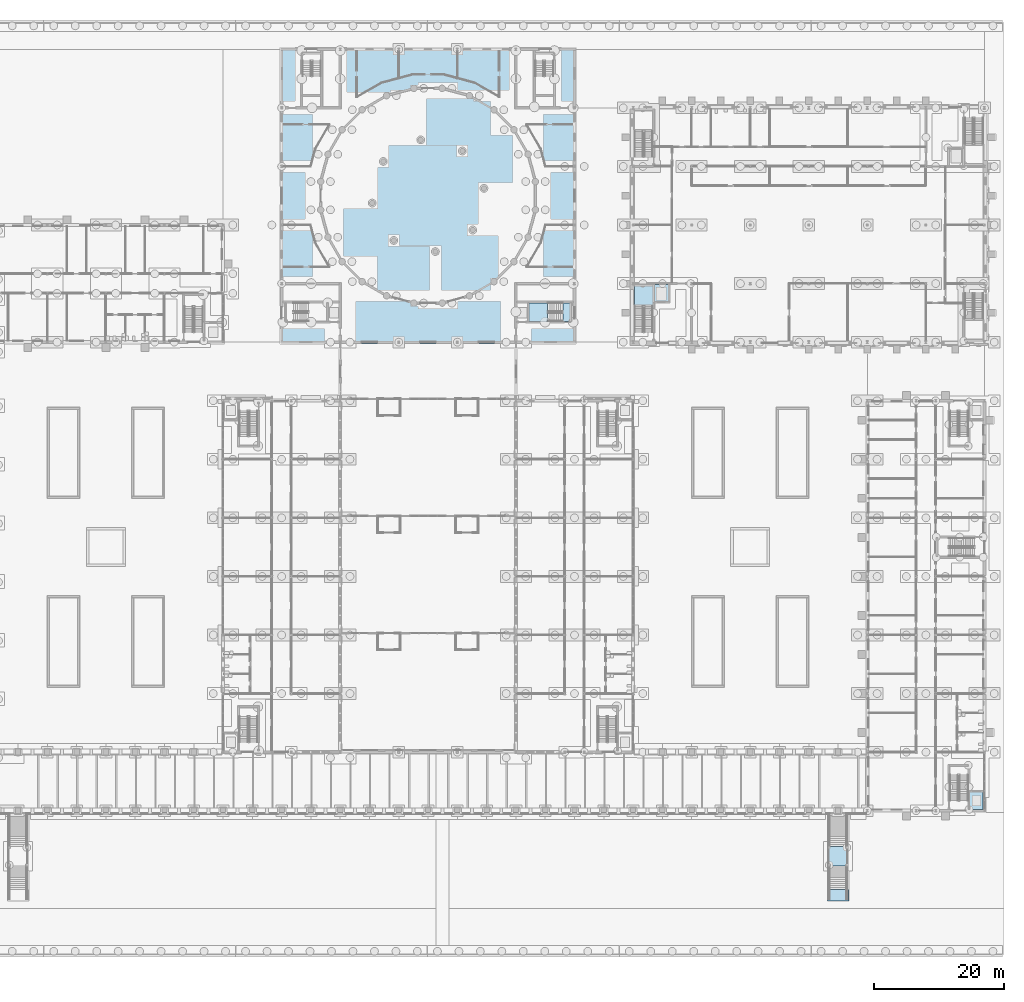
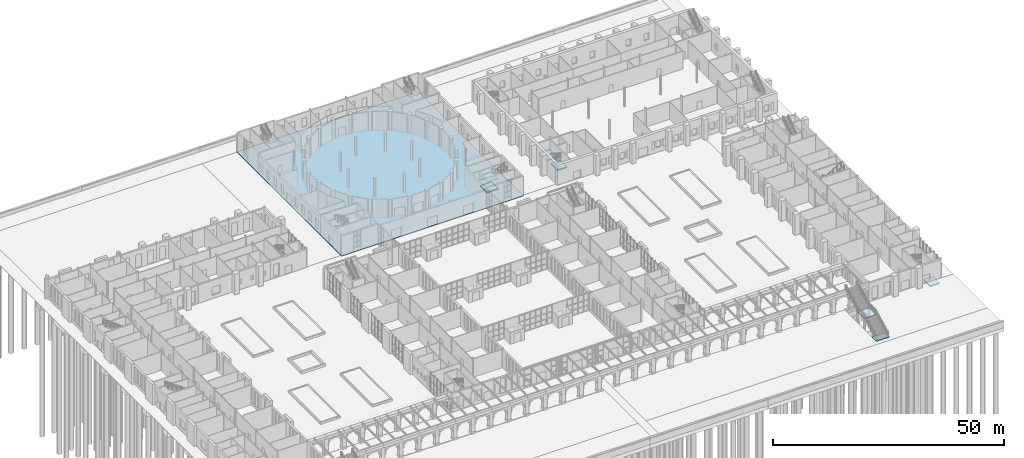
# One storey, part 80 of 168: 9 slabs, 3 elements without a shape of their own.
"""IFC4 building model written with IfcOpenShell, lengths in metres."""

from ifc_helpers import new_model, si_unit, direction, frame, origin, place, context, subcontext, project, spatial, polyline, outline, extrude, material, layer, layer_set, type_object, element, aggregate, save


model = new_model("IFC4")

# Units and contexts
model_context = context("Model", 3, precision=1e-05, world=origin(), true_north=direction((0.0, 1.0)))
body_context = subcontext(model_context, "Body", "Model", "MODEL_VIEW")
ifc_project = project(units=[si_unit("LENGTHUNIT", "METRE"), si_unit("AREAUNIT", "SQUARE_METRE"), si_unit("VOLUMEUNIT", "CUBIC_METRE"), si_unit("PLANEANGLEUNIT", "RADIAN"), si_unit("MASSUNIT", "GRAM", prefix="KILO")], contexts=[model_context])

# Site, building, storey
site_placement = place(None, origin())
site = spatial("IfcSite", under=ifc_project, at=site_placement, CompositionType="ELEMENT")
building_placement = place(site_placement, origin())
building = spatial("IfcBuilding", under=site, at=building_placement, Name="Golden Quay Civic Hall", CompositionType="ELEMENT")
storey_placement = place(building_placement, origin())
storey = spatial("IfcBuildingStorey", under=building, at=storey_placement, Name="L00", CompositionType="ELEMENT", Elevation=0.0)

# Stair, slab
ifc_material_1 = material(Name="Concrete C40/50", Category="concrete")
stair_type_1 = type_object("IfcStairType", Name="Concrete half-turn stair 30 risers", PredefinedType="HALF_TURN_STAIR", material=ifc_material_1)
stair_1_placement = place(storey_placement, origin())
stair_1 = element("IfcStair", 1, at=stair_1_placement, inside=storey, type_object=stair_type_1, Name="L00 Protected Exit Stair LB-W", PredefinedType="HALF_TURN_STAIR")
ifc_material_2 = material(Name="Concrete C35/45", Category="concrete")
ifc_layer_1 = layer(ifc_material_2, 0.199951171875)
ifc_layer_set_1 = layer_set([ifc_layer_1], Name="Concrete stair landing 200, Concrete C35/45")
slab_type_1 = type_object("IfcSlabType", Name="Concrete stair landing 200", PredefinedType="LANDING", material=ifc_layer_set_1)
slab_1_placement = place(storey_placement, frame((0.0, 0.0, 2.5)))
slab_1 = element("IfcSlab", 2, at=slab_1_placement, type_object=slab_type_1, Name="LB-STW landing 1", PredefinedType="LANDING", context=body_context, shape_type="SweptSolid", body=[
    extrude(outline(polyline([(120.050048828125, 68.469970703125), (120.050048828125, 71.875), (117.199951171875, 71.875), (117.199951171875, 68.469970703125), (120.050048828125, 68.469970703125)])), origin(), (0.0, 0.0, 1.0), 0.199951171875),
])
aggregate(stair_1, [slab_1])

# Slabs
ifc_material_3 = material(Name="Concrete C35/45", Category="concrete")
ifc_layer_2 = layer(ifc_material_3, 0.199951171875)
ifc_layer_set_2 = layer_set([ifc_layer_2], Name="Ground slab 200")
slab_type_2 = type_object("IfcSlabType", Name="Ground slab 200", PredefinedType="BASESLAB", material=ifc_layer_set_2)
slab_2_placement = place(storey_placement, frame((0.0, 0.0, -0.199951171875)))
element("IfcSlab", 3, at=slab_2_placement, inside=storey, type_object=slab_type_2, Name="Ground slab", PredefinedType="BASESLAB", context=body_context, shape_type="SweptSolid", body=[
    extrude(outline(polyline([(108.199951171875, 62.800048828125), (108.199951171875, 108.199951171875), (62.800048828125, 108.199951171875), (62.800048828125, 62.800048828125), (108.199951171875, 62.800048828125)])), origin(), (0.0, 0.0, 1.0), 0.199951171875),
])
ifc_material_4 = material(Name="Concrete C35/45", Category="concrete")
ifc_layer_3 = layer(ifc_material_4, 0.300048828125)
ifc_layer_set_3 = layer_set([ifc_layer_3], Name="Ground slab 300")
slab_type_3 = type_object("IfcSlabType", Name="Ground slab 300", PredefinedType="BASESLAB", material=ifc_layer_set_3)
slab_3_placement = place(storey_placement, frame((0.0, 0.0, -1.5)))
element("IfcSlab", 4, at=slab_3_placement, inside=storey, type_object=slab_type_3, Name="L00 lift pit slab W", PredefinedType="BASESLAB", context=body_context, shape_type="SweptSolid", body=[
    extrude(outline(polyline([(120.300048828125, 69.02490234375), (122.64990234375, 69.02490234375), (122.64990234375, 71.875), (120.300048828125, 71.875), (120.300048828125, 69.02490234375)])), origin(), (0.0, 0.0, 1.0), 0.300048828125),
])
ifc_material_5 = material(Name="Concrete C40/50", Category="concrete")
ifc_layer_4 = layer(ifc_material_5, 0.300048828125)
ifc_layer_set_4 = layer_set([ifc_layer_4], Name="Lift pit slab 300")
slab_type_4 = type_object("IfcSlabType", Name="Lift pit slab 300", PredefinedType="BASESLAB", material=ifc_layer_set_4)
slab_4_placement = place(storey_placement, frame((0.0, 0.0, -1.800048828125)))
element("IfcSlab", 5, at=slab_4_placement, inside=storey, type_object=slab_type_4, Name="Lift pit slab EO-S", PredefinedType="BASESLAB", context=body_context, shape_type="SweptSolid", body=[
    extrude(outline(polyline([(170.800048828125, -8.800048828125), (168.75, -8.800048828125), (168.5, -8.800048828125), (168.5, -5.949951171875), (168.75, -5.949951171875), (170.800048828125, -5.949951171875), (170.800048828125, -6.199951171875), (170.800048828125, -8.800048828125)])), origin(), (0.0, 0.0, 1.0), 0.300048828125),
])
ifc_material_6 = material(Name="Concrete C30/37", Category="concrete")
ifc_layer_5 = layer(ifc_material_6, 0.25)
ifc_layer_set_5 = layer_set([ifc_layer_5], Name="Public stair foot slab 250")
slab_type_5 = type_object("IfcSlabType", Name="Public stair foot slab 250", PredefinedType="BASESLAB", material=ifc_layer_set_5)
slab_5_placement = place(storey_placement, frame((0.0, 0.0, -0.25)))
element("IfcSlab", 6, at=slab_5_placement, inside=storey, type_object=slab_type_5, Name="Public stair foot slab east", PredefinedType="BASESLAB", context=body_context, shape_type="SweptSolid", body=[
    extrude(outline(polyline([(146.85009765625, -22.89990234375), (150.14990234375, -22.89990234375), (150.14990234375, -21.10009765625), (146.85009765625, -21.10009765625), (146.85009765625, -22.89990234375)])), origin(), (0.0, 0.0, 1.0), 0.25),
])

# Stair, slab
ifc_material_7 = material(Name="Concrete C30/37", Category="concrete")
stair_type_2 = type_object("IfcStairType", Name="Public stair concrete 3000", PredefinedType="TWO_STRAIGHT_RUN_STAIR", material=ifc_material_7)
stair_2_placement = place(storey_placement, origin())
stair_2 = element("IfcStair", 7, at=stair_2_placement, inside=storey, type_object=stair_type_2, Name="Public stair east", PredefinedType="TWO_STRAIGHT_RUN_STAIR")
ifc_material_8 = material(Name="Concrete C30/37", Category="concrete")
ifc_layer_6 = layer(ifc_material_8, 0.199951171875)
ifc_layer_set_6 = layer_set([ifc_layer_6], Name="Public stair landing 200")
slab_type_6 = type_object("IfcSlabType", Name="Public stair landing 200", PredefinedType="LANDING", material=ifc_layer_set_6)
slab_6_placement = place(storey_placement, frame((0.0, 0.0, 2.5)))
slab_6 = element("IfcSlab", 8, at=slab_6_placement, type_object=slab_type_6, Name="ST1 landing 1", PredefinedType="LANDING", context=body_context, shape_type="SweptSolid", body=[
    extrude(outline(polyline([(147.0, -17.5), (150.0, -17.5), (150.0, -14.5), (147.0, -14.5), (147.0, -17.5)])), origin(), (0.0, 0.0, 1.0), 0.199951171875),
])
aggregate(stair_2, [slab_6])

# Stair, slabs
ifc_material_9 = material(Name="Concrete C35/45", Category="concrete")
stair_type_3 = type_object("IfcStairType", Name="Reinforced concrete stair 1350", PredefinedType="HALF_TURN_STAIR", material=ifc_material_9)
stair_3_placement = place(storey_placement, origin())
stair_3 = element("IfcStair", 9, at=stair_3_placement, inside=storey, type_object=stair_type_3, Name="L00 Core stair SE", PredefinedType="HALF_TURN_STAIR")
ifc_material_10 = material(Name="Concrete C35/45", Category="concrete")
ifc_layer_7 = layer(ifc_material_10, 0.199951171875)
ifc_layer_set_7 = layer_set([ifc_layer_7], Name="Reinforced concrete stair landing 200, Concrete C35/45")
slab_type_7 = type_object("IfcSlabType", Name="Reinforced concrete stair landing 200", PredefinedType="LANDING", material=ifc_layer_set_7)
slab_7_placement = place(storey_placement, frame((0.0, 0.0, 1.14990234375)))
slab_7 = element("IfcSlab", 10, at=slab_7_placement, type_object=slab_type_7, Name="CB-SE landing 1", PredefinedType="LANDING", context=body_context, shape_type="SweptSolid", body=[
    extrude(outline(polyline([(103.889892578125, 69.050048828125), (101.050048828125, 69.050048828125), (101.050048828125, 66.199951171875), (103.889892578125, 66.199951171875), (103.889892578125, 69.050048828125)])), origin(), (0.0, 0.0, 1.0), 0.2001953125),
])
slab_8_placement = place(storey_placement, frame((0.0, 0.0, 2.5)))
slab_8 = element("IfcSlab", 11, at=slab_8_placement, type_object=slab_type_7, Name="CB-SE landing 2", PredefinedType="LANDING", context=body_context, shape_type="SweptSolid", body=[
    extrude(outline(polyline([(107.550048828125, 69.050048828125), (106.199951171875, 69.050048828125), (106.199951171875, 66.199951171875), (107.550048828125, 66.199951171875), (107.550048828125, 69.050048828125)])), origin(), (0.0, 0.0, 1.0), 0.199951171875),
])
slab_9_placement = place(storey_placement, frame((0.0, 0.0, 3.85009765625)))
slab_9 = element("IfcSlab", 12, at=slab_9_placement, type_object=slab_type_7, Name="CB-SE landing 3", PredefinedType="LANDING", context=body_context, shape_type="SweptSolid", body=[
    extrude(outline(polyline([(103.889892578125, 69.050048828125), (101.050048828125, 69.050048828125), (101.050048828125, 66.199951171875), (103.889892578125, 66.199951171875), (103.889892578125, 69.050048828125)])), origin(), (0.0, 0.0, 1.0), 0.199951171875),
])
aggregate(stair_3, [slab_7, slab_8, slab_9])

save(model, "model.ifc")
